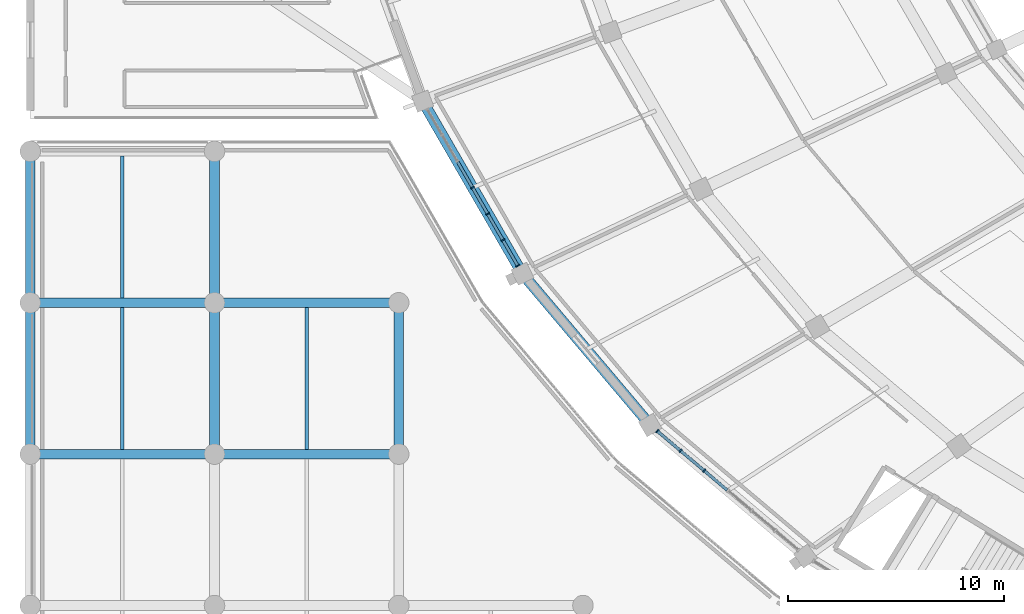
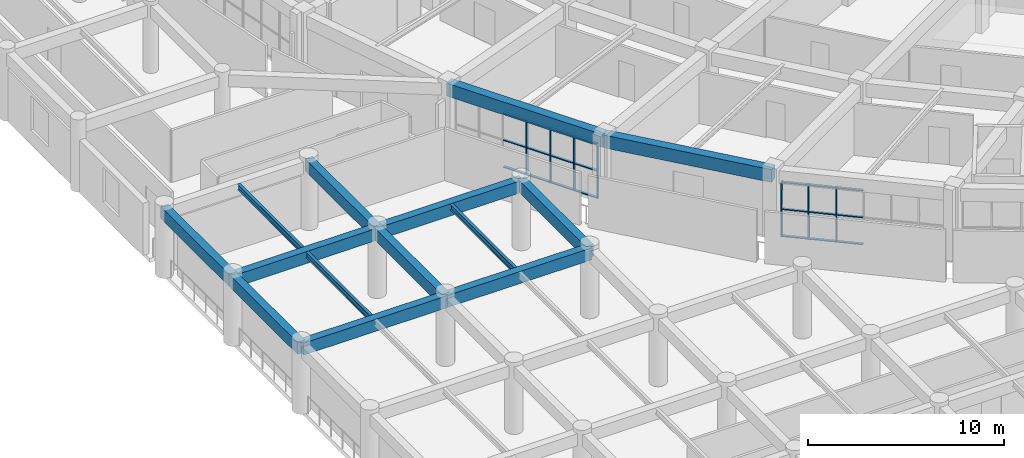
# One storey, part 16 of 145: 28 members, 14 beams, 2 elements without a shape of their own.
"""IFC4 building model written with IfcOpenShell, lengths in metres."""

from ifc_helpers import new_model, si_unit, direction, frame, origin, origin_2d, place, context, subcontext, project, spatial, rectangle, i_section, extrude, material, layer, layer_set, material_profile, profile_set, type_object, element, aggregate, save


model = new_model("IFC4")

# Units and contexts
model_context = context("Model", 3, precision=1e-05, world=origin(), true_north=direction((0.0, 1.0)))
body_context = subcontext(model_context, "Body", "Model", "MODEL_VIEW")
ifc_project = project(units=[si_unit("LENGTHUNIT", "METRE"), si_unit("AREAUNIT", "SQUARE_METRE"), si_unit("VOLUMEUNIT", "CUBIC_METRE"), si_unit("PLANEANGLEUNIT", "RADIAN"), si_unit("MASSUNIT", "GRAM", prefix="KILO")], contexts=[model_context])

# Site, building, storey
site_placement = place(None, origin())
site = spatial("IfcSite", under=ifc_project, at=site_placement, CompositionType="ELEMENT")
building_placement = place(site_placement, origin())
building = spatial("IfcBuilding", under=site, at=building_placement, Name="Mphavela Belvedere Stadium", CompositionType="ELEMENT")
storey_placement = place(building_placement, frame((0.0, 0.0, 10.199951171875)))
storey = spatial("IfcBuildingStorey", under=building, at=storey_placement, Name="L02", CompositionType="ELEMENT", Elevation=10.199951171875)

# Beams
ifc_material_1 = material(Name="Steel S355", Category="steel")
ifc_material_profile_1 = material_profile(ifc_material_1, i_section(OverallWidth=0.169921875, OverallDepth=0.360107421875, WebThickness=0.008056640625, FlangeThickness=0.0126953125, at=origin_2d()), Name="IPE 360")
ifc_profile_set_1 = profile_set([ifc_material_profile_1], Name="Steel S355")
beam_type_1 = type_object("IfcBeamType", Name="BM-JOIST-IPE360", PredefinedType="JOIST", material=ifc_profile_set_1)
for number, where, z_axis, x_axis, name in (
    (1, (4.259521484375, 35.22509765625, 4.06005859375), (0.0, 1.0, 0.0), (-1.0, 0.0, 0.0), "South Axial Triumphal Peristyle Portico secondary joist L02 1-6"),
    (2, (4.259521484375, 42.22509765625, 4.06005859375), (0.0, 1.0, 0.0), (-1.0, 0.0, 0.0), "South Axial Triumphal Peristyle Portico secondary joist L02 1-7"),
    (3, (12.778076171875, 35.22509765625, 4.06005859375), (0.0, 1.0, 0.0), (-1.0, 0.0, 0.0), "South Axial Triumphal Peristyle Portico secondary joist L02 2-6"),
):
    element("IfcBeam", number, at=place(storey_placement, frame(where, z_axis=z_axis, x_axis=x_axis)), inside=storey, type_object=beam_type_1, Name=name, PredefinedType="JOIST", context=body_context, shape_type="SweptSolid", body=[
        extrude(i_section(OverallWidth=0.169921875, OverallDepth=0.360107421875, WebThickness=0.008056640625, FlangeThickness=0.0126953125, at=origin_2d()), origin(), (0.0, 0.0, 1.0), 6.5498046875),
    ])
ifc_material_2 = material(Name="Concrete C40/50", Category="concrete")
ifc_material_profile_2 = material_profile(ifc_material_2, rectangle(XDim=0.449951171875, YDim=0.75, at=origin_2d()), Name="RC 450x750")
ifc_profile_set_2 = profile_set([ifc_material_profile_2], Name="Concrete C40/50")
beam_type_2 = type_object("IfcBeamType", Name="BM-RC450x750", PredefinedType="BEAM", material=ifc_profile_set_2)
beam_1_placement = place(storey_placement, frame((0.0, 35.0, 3.864990234375), z_axis=(1.0, 0.0, 0.0), x_axis=(0.0, 1.0, 0.0)))
element("IfcBeam", 4, at=beam_1_placement, inside=storey, type_object=beam_type_2, Name="South Axial Triumphal Peristyle Portico entablature beam X L02 1-6", PredefinedType="BEAM", context=body_context, shape_type="SweptSolid", body=[
    extrude(rectangle(XDim=0.449951171875, YDim=0.75, at=origin_2d()), origin(), (0.0, 0.0, 1.0), 8.51904296875),
])
beam_2_placement = place(storey_placement, frame((0.0, 35.0, 3.864990234375), z_axis=(0.0, 1.0, 0.0), x_axis=(-1.0, 0.0, 0.0)))
element("IfcBeam", 5, at=beam_2_placement, inside=storey, type_object=beam_type_2, Name="South Axial Triumphal Peristyle Portico entablature beam Y L02 1-6", PredefinedType="BEAM", context=body_context, shape_type="SweptSolid", body=[
    extrude(rectangle(XDim=0.449951171875, YDim=0.75, at=origin_2d()), origin(), (0.0, 0.0, 1.0), 7.0),
])
beam_3_placement = place(storey_placement, frame((0.0, 42.0, 3.864990234375), z_axis=(1.0, 0.0, 0.0), x_axis=(0.0, 1.0, 0.0)))
element("IfcBeam", 6, at=beam_3_placement, inside=storey, type_object=beam_type_2, Name="South Axial Triumphal Peristyle Portico entablature beam X L02 1-7", PredefinedType="BEAM", context=body_context, shape_type="SweptSolid", body=[
    extrude(rectangle(XDim=0.449951171875, YDim=0.75, at=origin_2d()), origin(), (0.0, 0.0, 1.0), 8.51904296875),
])
beam_4_placement = place(storey_placement, frame((0.0, 42.0, 3.864990234375), z_axis=(0.0, 1.0, 0.0), x_axis=(-1.0, 0.0, 0.0)))
element("IfcBeam", 7, at=beam_4_placement, inside=storey, type_object=beam_type_2, Name="South Axial Triumphal Peristyle Portico entablature beam Y L02 1-7", PredefinedType="BEAM", context=body_context, shape_type="SweptSolid", body=[
    extrude(rectangle(XDim=0.449951171875, YDim=0.75, at=origin_2d()), origin(), (0.0, 0.0, 1.0), 7.0),
])
beam_5_placement = place(storey_placement, frame((8.51904296875, 35.0, 3.864990234375), z_axis=(1.0, 0.0, 0.0), x_axis=(0.0, 1.0, 0.0)))
element("IfcBeam", 8, at=beam_5_placement, inside=storey, type_object=beam_type_2, Name="South Axial Triumphal Peristyle Portico entablature beam X L02 2-6", PredefinedType="BEAM", context=body_context, shape_type="SweptSolid", body=[
    extrude(rectangle(XDim=0.449951171875, YDim=0.75, at=origin_2d()), origin(), (0.0, 0.0, 1.0), 8.51806640625),
])
beam_6_placement = place(storey_placement, frame((8.51904296875, 35.0, 3.864990234375), z_axis=(0.0, 1.0, 0.0), x_axis=(-1.0, 0.0, 0.0)))
element("IfcBeam", 9, at=beam_6_placement, inside=storey, type_object=beam_type_2, Name="South Axial Triumphal Peristyle Portico entablature beam Y L02 2-6", PredefinedType="BEAM", context=body_context, shape_type="SweptSolid", body=[
    extrude(rectangle(XDim=0.449951171875, YDim=0.75, at=origin_2d()), origin(), (0.0, 0.0, 1.0), 7.0),
])
beam_7_placement = place(storey_placement, frame((8.51904296875, 42.0, 3.864990234375), z_axis=(1.0, 0.0, 0.0), x_axis=(0.0, 1.0, 0.0)))
element("IfcBeam", 10, at=beam_7_placement, inside=storey, type_object=beam_type_2, Name="South Axial Triumphal Peristyle Portico entablature beam X L02 2-7", PredefinedType="BEAM", context=body_context, shape_type="SweptSolid", body=[
    extrude(rectangle(XDim=0.449951171875, YDim=0.75, at=origin_2d()), origin(), (0.0, 0.0, 1.0), 8.51806640625),
])
for number, where, z_axis, x_axis, name in (
    (11, (8.51904296875, 42.0, 3.864990234375), (0.0, 1.0, 0.0), (-1.0, 0.0, 0.0), "South Axial Triumphal Peristyle Portico entablature beam Y L02 2-7"),
    (12, (17.037109375, 35.0, 3.864990234375), (0.0, 1.0, 0.0), (-1.0, 0.0, 0.0), "South Axial Triumphal Peristyle Portico entablature beam Y L02 3-6"),
):
    element("IfcBeam", number, at=place(storey_placement, frame(where, z_axis=z_axis, x_axis=x_axis)), inside=storey, type_object=beam_type_2, Name=name, PredefinedType="BEAM", context=body_context, shape_type="SweptSolid", body=[
        extrude(rectangle(XDim=0.449951171875, YDim=0.75, at=origin_2d()), origin(), (0.0, 0.0, 1.0), 7.0),
    ])
ifc_material_3 = material(Name="Concrete C40/50", Category="concrete")
ifc_material_profile_3 = material_profile(ifc_material_3, rectangle(XDim=0.5, YDim=0.800048828125, at=origin_2d()), Name="RC 500x800")
ifc_profile_set_3 = profile_set([ifc_material_profile_3], Name="Concrete C40/50")
beam_type_3 = type_object("IfcBeamType", Name="BM-SPANDREL-800", PredefinedType="SPANDREL", material=ifc_profile_set_3)
beam_8_placement = place(storey_placement, frame((18.143798828125, 51.317626953125, 3.85009765625), z_axis=(0.500565297122, -0.865698783248, 0.0), x_axis=(0.865698783248, 0.500565297122, 0.0)))
element("IfcBeam", 13, at=beam_8_placement, inside=storey, type_object=beam_type_3, Name="Circumferential girder L02 R4-28", PredefinedType="SPANDREL", context=body_context, shape_type="SweptSolid", body=[
    extrude(rectangle(XDim=0.5, YDim=0.800048828125, at=origin_2d()), origin(), (0.0, 0.0, 1.0), 9.217041015625),
])
beam_9_placement = place(storey_placement, frame((22.757568359375, 43.33837890625, 3.85009765625), z_axis=(0.645164552218, -0.764043650952, 0.0), x_axis=(0.764043650952, 0.645164552218, 0.0)))
element("IfcBeam", 14, at=beam_9_placement, inside=storey, type_object=beam_type_3, Name="Circumferential girder L02 R4-29", PredefinedType="SPANDREL", context=body_context, shape_type="SweptSolid", body=[
    extrude(rectangle(XDim=0.5, YDim=0.800048828125, at=origin_2d()), origin(), (0.0, 0.0, 1.0), 9.151123046875),
])

# Curtain wall, members
ifc_material_4 = material(Name="Anodised bronze unitised curtain wall framing")
ifc_layer_1 = layer(ifc_material_4, 0.199951171875)
ifc_layer_set_1 = layer_set([ifc_layer_1], Name="Anodised bronze unitised curtain wall framing")
curtain_wall_type_1 = type_object("IfcCurtainWallType", Name="CW-UNIT-05", PredefinedType="USERDEFINED", material=ifc_layer_set_1)
curtain_wall_1_placement = place(storey_placement, origin())
curtain_wall_1 = element("IfcCurtainWall", 15, at=curtain_wall_1_placement, inside=storey, type_object=curtain_wall_type_1, Name="Belvedere colonnade curtain wall L02-28", ObjectType="UNITISED CURTAIN WALL", PredefinedType="USERDEFINED")
ifc_material_5 = material(Name="Anodised bronze extruded aluminium", Category="aluminium")
ifc_material_profile_4 = material_profile(ifc_material_5, rectangle(XDim=0.179931640625, YDim=0.06494140625, at=origin_2d()), Name="CW-MUL 180x65")
ifc_profile_set_4 = profile_set([ifc_material_profile_4], Name="Anodised bronze extruded aluminium")
member_type_1 = type_object("IfcMemberType", Name="CWM-180x65", PredefinedType="MULLION", material=ifc_profile_set_4)
member_1_placement = place(storey_placement, frame((20.45068359375, 47.328125, 0.0), z_axis=(0.0, 0.0, 1.0), x_axis=(0.865700418213, 0.500562469533, 0.0)))
member_1 = element("IfcMember", 16, at=member_1_placement, type_object=member_type_1, Name="CW-05 mullion 4", PredefinedType="MULLION", context=body_context, shape_type="SweptSolid", body=[
    extrude(rectangle(XDim=0.179931640625, YDim=0.06494140625, at=origin_2d()), origin(), (0.0, 0.0, 1.0), 3.420166015625),
])
member_2_placement = place(storey_placement, frame((21.1533203125, 46.113037109375, 0.0), z_axis=(0.0, 0.0, 1.0), x_axis=(0.865700418213, 0.500562469533, 0.0)))
member_2 = element("IfcMember", 17, at=member_2_placement, type_object=member_type_1, Name="CW-05 mullion 5", PredefinedType="MULLION", context=body_context, shape_type="SweptSolid", body=[
    extrude(rectangle(XDim=0.179931640625, YDim=0.06494140625, at=origin_2d()), origin(), (0.0, 0.0, 1.0), 3.420166015625),
])
member_3_placement = place(storey_placement, frame((21.855712890625, 44.898193359375, 0.0), z_axis=(0.0, 0.0, 1.0), x_axis=(0.865700418213, 0.500562469533, 0.0)))
member_3 = element("IfcMember", 18, at=member_3_placement, type_object=member_type_1, Name="CW-05 mullion 6", PredefinedType="MULLION", context=body_context, shape_type="SweptSolid", body=[
    extrude(rectangle(XDim=0.179931640625, YDim=0.06494140625, at=origin_2d()), origin(), (0.0, 0.0, 1.0), 3.420166015625),
])
member_4_placement = place(storey_placement, frame((22.5419921875, 43.711181640625, 0.0), z_axis=(0.0, 0.0, 1.0), x_axis=(0.865700418213, 0.500562469533, 0.0)))
member_4 = element("IfcMember", 19, at=member_4_placement, type_object=member_type_1, Name="CW-05 mullion 7", PredefinedType="MULLION", context=body_context, shape_type="SweptSolid", body=[
    extrude(rectangle(XDim=0.179931640625, YDim=0.06494140625, at=origin_2d()), origin(), (0.0, 0.0, 1.0), 3.420166015625),
])

ifc_material_6 = material(Name="Anodised bronze unitised curtain wall framing")
ifc_layer_2 = layer(ifc_material_6, 0.205078125)
ifc_layer_set_2 = layer_set([ifc_layer_2], Name="Anodised bronze unitised curtain wall framing")
curtain_wall_type_2 = type_object("IfcCurtainWallType", Name="CW-UNIT-06", PredefinedType="USERDEFINED", material=ifc_layer_set_2)
curtain_wall_2_placement = place(storey_placement, origin())
curtain_wall_2 = element("IfcCurtainWall", 20, at=curtain_wall_2_placement, inside=storey, type_object=curtain_wall_type_2, Name="Belvedere colonnade curtain wall L02-30", ObjectType="UNITISED CURTAIN WALL", PredefinedType="USERDEFINED")
member_5_placement = place(storey_placement, frame((28.99072265625, 36.06884765625, 0.0), z_axis=(0.0, 0.0, 1.0), x_axis=(0.644907225915, 0.764260865126, 0.0)))
member_5 = element("IfcMember", 21, at=member_5_placement, type_object=member_type_1, Name="CW-06 mullion 1", PredefinedType="MULLION", context=body_context, shape_type="SweptSolid", body=[
    extrude(rectangle(XDim=0.179931640625, YDim=0.06494140625, at=origin_2d()), origin(), (0.0, 0.0, 1.0), 3.420166015625),
])
member_6_placement = place(storey_placement, frame((30.0615234375, 35.165283203125, 0.0), z_axis=(0.0, 0.0, 1.0), x_axis=(0.644907225915, 0.764260865126, 0.0)))
member_6 = element("IfcMember", 22, at=member_6_placement, type_object=member_type_1, Name="CW-06 mullion 2", PredefinedType="MULLION", context=body_context, shape_type="SweptSolid", body=[
    extrude(rectangle(XDim=0.179931640625, YDim=0.06494140625, at=origin_2d()), origin(), (0.0, 0.0, 1.0), 3.420166015625),
])
member_7_placement = place(storey_placement, frame((31.1572265625, 34.240478515625, 0.0), z_axis=(0.0, 0.0, 1.0), x_axis=(0.644907225915, 0.764260865126, 0.0)))
member_7 = element("IfcMember", 23, at=member_7_placement, type_object=member_type_1, Name="CW-06 mullion 3", PredefinedType="MULLION", context=body_context, shape_type="SweptSolid", body=[
    extrude(rectangle(XDim=0.179931640625, YDim=0.06494140625, at=origin_2d()), origin(), (0.0, 0.0, 1.0), 3.420166015625),
])

# Member
ifc_material_7 = material(Name="Anodised bronze extruded aluminium", Category="aluminium")
ifc_material_profile_5 = material_profile(ifc_material_7, rectangle(XDim=0.139892578125, YDim=0.06005859375, at=origin_2d()), Name="CW-TRN 140x60")
ifc_profile_set_5 = profile_set([ifc_material_profile_5], Name="Anodised bronze extruded aluminium")
member_type_2 = type_object("IfcMemberType", Name="CWT-140x60", PredefinedType="USERDEFINED", material=ifc_profile_set_5)
member_8_placement = place(storey_placement, frame((19.764404296875, 48.514892578125, 0.030029296875), z_axis=(0.50053285549, -0.865717540873, 0.0), x_axis=(0.865717540873, 0.50053285549, 0.0)))
member_8 = element("IfcMember", 24, at=member_8_placement, type_object=member_type_2, Name="CW-05 transom 3.1", ObjectType="TRANSOM", PredefinedType="USERDEFINED", context=body_context, shape_type="SweptSolid", body=[
    extrude(rectangle(XDim=0.139892578125, YDim=0.06005859375, at=origin_2d()), origin(), (0.0, 0.0, 1.0), 1.33837890625),
])

member_9_placement = place(storey_placement, frame((19.764404296875, 48.514892578125, 1.7099609375), z_axis=(0.50053285549, -0.865717540873, 0.0), x_axis=(0.865717540873, 0.50053285549, 0.0)))
member_9 = element("IfcMember", 25, at=member_9_placement, type_object=member_type_2, Name="CW-05 transom 3.2", ObjectType="TRANSOM", PredefinedType="USERDEFINED", context=body_context, shape_type="SweptSolid", body=[
    extrude(rectangle(XDim=0.139892578125, YDim=0.06005859375, at=origin_2d()), origin(), (0.0, 0.0, 1.0), 1.33837890625),
])

member_10_placement = place(storey_placement, frame((19.764404296875, 48.514892578125, 3.39013671875), z_axis=(0.50053285549, -0.865717540873, 0.0), x_axis=(0.865717540873, 0.50053285549, 0.0)))
member_10 = element("IfcMember", 26, at=member_10_placement, type_object=member_type_2, Name="CW-05 transom 3.3", ObjectType="TRANSOM", PredefinedType="USERDEFINED", context=body_context, shape_type="SweptSolid", body=[
    extrude(rectangle(XDim=0.139892578125, YDim=0.06005859375, at=origin_2d()), origin(), (0.0, 0.0, 1.0), 1.33837890625),
])

member_11_placement = place(storey_placement, frame((20.467041015625, 47.300048828125, 0.030029296875), z_axis=(0.500453823999, -0.865763229783, 0.0), x_axis=(0.865763229783, 0.500453823999, 0.0)))
member_11 = element("IfcMember", 27, at=member_11_placement, type_object=member_type_2, Name="CW-05 transom 4.1", ObjectType="TRANSOM", PredefinedType="USERDEFINED", context=body_context, shape_type="SweptSolid", body=[
    extrude(rectangle(XDim=0.139892578125, YDim=0.06005859375, at=origin_2d()), origin(), (0.0, 0.0, 1.0), 1.338623046875),
])

member_12_placement = place(storey_placement, frame((20.467041015625, 47.300048828125, 1.7099609375), z_axis=(0.500453823999, -0.865763229783, 0.0), x_axis=(0.865763229783, 0.500453823999, 0.0)))
member_12 = element("IfcMember", 28, at=member_12_placement, type_object=member_type_2, Name="CW-05 transom 4.2", ObjectType="TRANSOM", PredefinedType="USERDEFINED", context=body_context, shape_type="SweptSolid", body=[
    extrude(rectangle(XDim=0.139892578125, YDim=0.06005859375, at=origin_2d()), origin(), (0.0, 0.0, 1.0), 1.338623046875),
])

member_13_placement = place(storey_placement, frame((20.467041015625, 47.300048828125, 3.39013671875), z_axis=(0.500453823999, -0.865763229783, 0.0), x_axis=(0.865763229783, 0.500453823999, 0.0)))
member_13 = element("IfcMember", 29, at=member_13_placement, type_object=member_type_2, Name="CW-05 transom 4.3", ObjectType="TRANSOM", PredefinedType="USERDEFINED", context=body_context, shape_type="SweptSolid", body=[
    extrude(rectangle(XDim=0.139892578125, YDim=0.06005859375, at=origin_2d()), origin(), (0.0, 0.0, 1.0), 1.338623046875),
])

member_14_placement = place(storey_placement, frame((21.16943359375, 46.0849609375, 0.030029296875), z_axis=(0.500669546967, -0.865638495412, 0.0), x_axis=(0.865638495412, 0.500669546967, 0.0)))
member_14 = element("IfcMember", 30, at=member_14_placement, type_object=member_type_2, Name="CW-05 transom 5.1", ObjectType="TRANSOM", PredefinedType="USERDEFINED", context=body_context, shape_type="SweptSolid", body=[
    extrude(rectangle(XDim=0.139892578125, YDim=0.06005859375, at=origin_2d()), origin(), (0.0, 0.0, 1.0), 1.338623046875),
])

member_15_placement = place(storey_placement, frame((21.16943359375, 46.0849609375, 1.7099609375), z_axis=(0.500669546967, -0.865638495412, 0.0), x_axis=(0.865638495412, 0.500669546967, 0.0)))
member_15 = element("IfcMember", 31, at=member_15_placement, type_object=member_type_2, Name="CW-05 transom 5.2", ObjectType="TRANSOM", PredefinedType="USERDEFINED", context=body_context, shape_type="SweptSolid", body=[
    extrude(rectangle(XDim=0.139892578125, YDim=0.06005859375, at=origin_2d()), origin(), (0.0, 0.0, 1.0), 1.338623046875),
])

member_16_placement = place(storey_placement, frame((21.16943359375, 46.0849609375, 3.39013671875), z_axis=(0.500669546967, -0.865638495412, 0.0), x_axis=(0.865638495412, 0.500669546967, 0.0)))
member_16 = element("IfcMember", 32, at=member_16_placement, type_object=member_type_2, Name="CW-05 transom 5.3", ObjectType="TRANSOM", PredefinedType="USERDEFINED", context=body_context, shape_type="SweptSolid", body=[
    extrude(rectangle(XDim=0.139892578125, YDim=0.06005859375, at=origin_2d()), origin(), (0.0, 0.0, 1.0), 1.338623046875),
])

member_17_placement = place(storey_placement, frame((21.8720703125, 44.869873046875, 0.030029296875), z_axis=(0.5006014568, -0.865677873952, 0.0), x_axis=(0.865677873952, 0.5006014568, 0.0)))
member_17 = element("IfcMember", 33, at=member_17_placement, type_object=member_type_2, Name="CW-05 transom 6.1", ObjectType="TRANSOM", PredefinedType="USERDEFINED", context=body_context, shape_type="SweptSolid", body=[
    extrude(rectangle(XDim=0.139892578125, YDim=0.06005859375, at=origin_2d()), origin(), (0.0, 0.0, 1.0), 1.30615234375),
])

member_18_placement = place(storey_placement, frame((21.8720703125, 44.869873046875, 1.7099609375), z_axis=(0.5006014568, -0.865677873952, 0.0), x_axis=(0.865677873952, 0.5006014568, 0.0)))
member_18 = element("IfcMember", 34, at=member_18_placement, type_object=member_type_2, Name="CW-05 transom 6.2", ObjectType="TRANSOM", PredefinedType="USERDEFINED", context=body_context, shape_type="SweptSolid", body=[
    extrude(rectangle(XDim=0.139892578125, YDim=0.06005859375, at=origin_2d()), origin(), (0.0, 0.0, 1.0), 1.30615234375),
])

member_19_placement = place(storey_placement, frame((21.8720703125, 44.869873046875, 3.39013671875), z_axis=(0.5006014568, -0.865677873952, 0.0), x_axis=(0.865677873952, 0.5006014568, 0.0)))
member_19 = element("IfcMember", 35, at=member_19_placement, type_object=member_type_2, Name="CW-05 transom 6.3", ObjectType="TRANSOM", PredefinedType="USERDEFINED", context=body_context, shape_type="SweptSolid", body=[
    extrude(rectangle(XDim=0.139892578125, YDim=0.06005859375, at=origin_2d()), origin(), (0.0, 0.0, 1.0), 1.30615234375),
])

aggregate(curtain_wall_1, [member_1, member_2, member_3, member_4, member_8, member_9, member_10, member_11, member_12, member_13, member_14, member_15, member_16, member_17, member_18, member_19])

member_20_placement = place(storey_placement, frame((29.015625, 36.0478515625, 0.030029296875), z_axis=(0.764328068464, -0.644827576766, 0.0), x_axis=(0.644827576766, 0.764328068464, 0.0)))
member_20 = element("IfcMember", 36, at=member_20_placement, type_object=member_type_2, Name="CW-06 transom 1.1", ObjectType="TRANSOM", PredefinedType="USERDEFINED", context=body_context, shape_type="SweptSolid", body=[
    extrude(rectangle(XDim=0.139892578125, YDim=0.06005859375, at=origin_2d()), origin(), (0.0, 0.0, 1.0), 1.336181640625),
])

member_21_placement = place(storey_placement, frame((29.015625, 36.0478515625, 1.7099609375), z_axis=(0.764328068464, -0.644827576766, 0.0), x_axis=(0.644827576766, 0.764328068464, 0.0)))
member_21 = element("IfcMember", 37, at=member_21_placement, type_object=member_type_2, Name="CW-06 transom 1.2", ObjectType="TRANSOM", PredefinedType="USERDEFINED", context=body_context, shape_type="SweptSolid", body=[
    extrude(rectangle(XDim=0.139892578125, YDim=0.06005859375, at=origin_2d()), origin(), (0.0, 0.0, 1.0), 1.336181640625),
])

member_22_placement = place(storey_placement, frame((29.015625, 36.0478515625, 3.39013671875), z_axis=(0.764328068464, -0.644827576766, 0.0), x_axis=(0.644827576766, 0.764328068464, 0.0)))
member_22 = element("IfcMember", 38, at=member_22_placement, type_object=member_type_2, Name="CW-06 transom 1.3", ObjectType="TRANSOM", PredefinedType="USERDEFINED", context=body_context, shape_type="SweptSolid", body=[
    extrude(rectangle(XDim=0.139892578125, YDim=0.06005859375, at=origin_2d()), origin(), (0.0, 0.0, 1.0), 1.336181640625),
])

member_23_placement = place(storey_placement, frame((30.08642578125, 35.144287109375, 0.030029296875), z_axis=(0.764244781983, -0.644926285099, 0.0), x_axis=(0.644926285099, 0.764244781983, 0.0)))
member_23 = element("IfcMember", 39, at=member_23_placement, type_object=member_type_2, Name="CW-06 transom 2.1", ObjectType="TRANSOM", PredefinedType="USERDEFINED", context=body_context, shape_type="SweptSolid", body=[
    extrude(rectangle(XDim=0.139892578125, YDim=0.06005859375, at=origin_2d()), origin(), (0.0, 0.0, 1.0), 1.368896484375),
])

member_24_placement = place(storey_placement, frame((30.08642578125, 35.144287109375, 1.7099609375), z_axis=(0.764244781983, -0.644926285099, 0.0), x_axis=(0.644926285099, 0.764244781983, 0.0)))
member_24 = element("IfcMember", 40, at=member_24_placement, type_object=member_type_2, Name="CW-06 transom 2.2", ObjectType="TRANSOM", PredefinedType="USERDEFINED", context=body_context, shape_type="SweptSolid", body=[
    extrude(rectangle(XDim=0.139892578125, YDim=0.06005859375, at=origin_2d()), origin(), (0.0, 0.0, 1.0), 1.368896484375),
])

member_25_placement = place(storey_placement, frame((30.08642578125, 35.144287109375, 3.39013671875), z_axis=(0.764244781983, -0.644926285099, 0.0), x_axis=(0.644926285099, 0.764244781983, 0.0)))
member_25 = element("IfcMember", 41, at=member_25_placement, type_object=member_type_2, Name="CW-06 transom 2.3", ObjectType="TRANSOM", PredefinedType="USERDEFINED", context=body_context, shape_type="SweptSolid", body=[
    extrude(rectangle(XDim=0.139892578125, YDim=0.06005859375, at=origin_2d()), origin(), (0.0, 0.0, 1.0), 1.368896484375),
])

member_26_placement = place(storey_placement, frame((31.18212890625, 34.2197265625, 0.030029296875), z_axis=(0.764244781983, -0.644926285099, 0.0), x_axis=(0.644926285099, 0.764244781983, 0.0)))
member_26 = element("IfcMember", 42, at=member_26_placement, type_object=member_type_2, Name="CW-06 transom 3.1", ObjectType="TRANSOM", PredefinedType="USERDEFINED", context=body_context, shape_type="SweptSolid", body=[
    extrude(rectangle(XDim=0.139892578125, YDim=0.06005859375, at=origin_2d()), origin(), (0.0, 0.0, 1.0), 1.368896484375),
])

member_27_placement = place(storey_placement, frame((31.18212890625, 34.2197265625, 1.7099609375), z_axis=(0.764244781983, -0.644926285099, 0.0), x_axis=(0.644926285099, 0.764244781983, 0.0)))
member_27 = element("IfcMember", 43, at=member_27_placement, type_object=member_type_2, Name="CW-06 transom 3.2", ObjectType="TRANSOM", PredefinedType="USERDEFINED", context=body_context, shape_type="SweptSolid", body=[
    extrude(rectangle(XDim=0.139892578125, YDim=0.06005859375, at=origin_2d()), origin(), (0.0, 0.0, 1.0), 1.368896484375),
])

member_28_placement = place(storey_placement, frame((31.18212890625, 34.2197265625, 3.39013671875), z_axis=(0.764244781983, -0.644926285099, 0.0), x_axis=(0.644926285099, 0.764244781983, 0.0)))
member_28 = element("IfcMember", 44, at=member_28_placement, type_object=member_type_2, Name="CW-06 transom 3.3", ObjectType="TRANSOM", PredefinedType="USERDEFINED", context=body_context, shape_type="SweptSolid", body=[
    extrude(rectangle(XDim=0.139892578125, YDim=0.06005859375, at=origin_2d()), origin(), (0.0, 0.0, 1.0), 1.368896484375),
])

aggregate(curtain_wall_2, [member_5, member_6, member_7, member_20, member_21, member_22, member_23, member_24, member_25, member_26, member_27, member_28])

save(model, "model.ifc")
